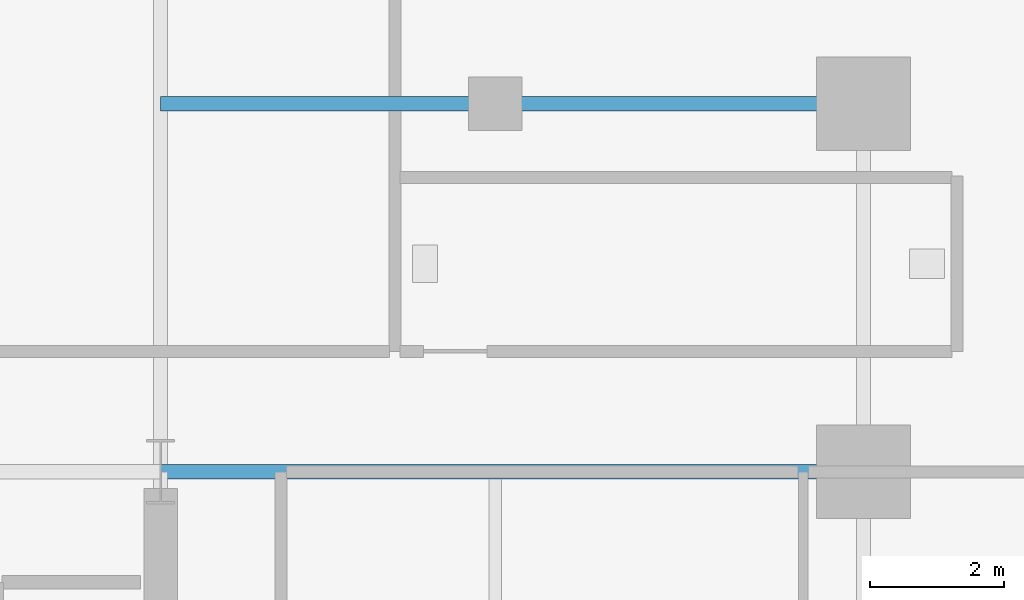
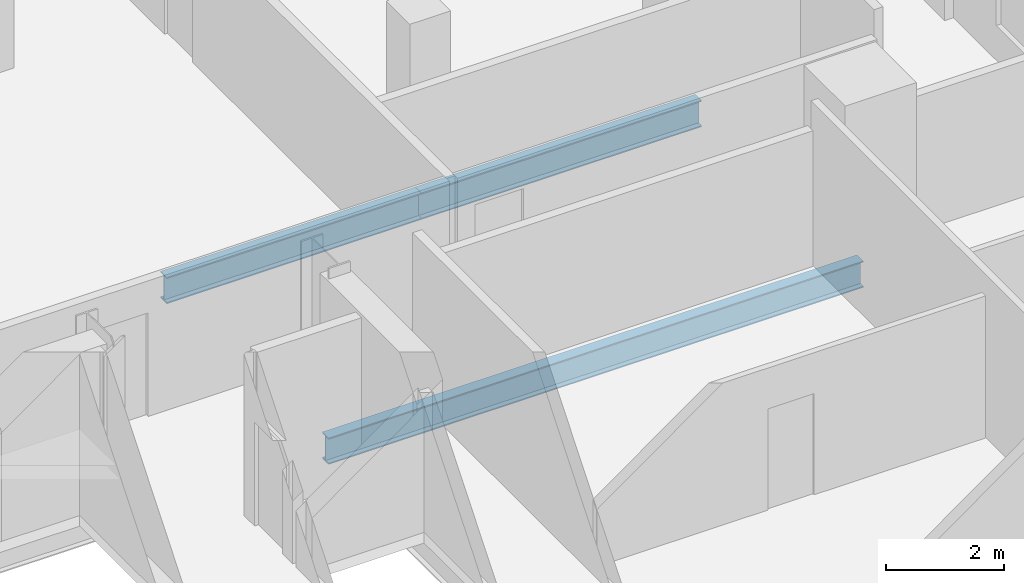
# One storey, part 14 of 23: 3 beams.
"""IFC4 building model written with IfcOpenShell, lengths in metres."""

import ifcopenshell
import ifcopenshell.guid

model = None  # the IFC model being written
_history = None  # IfcOwnerHistory: only IFC2X3 demands one
_inside = {}  # id of a spatial element -> (the spatial element, [elements in it])
_under = {}  # id of a project, library or spatial element -> (it, [spatial elements below it])
_declared = {}  # id of a project -> (the project, [libraries it declares])
_typed = {}  # id of a type object -> (the type object, [elements of that type])
_made_of = {}  # id of a material, layer set ... -> (it, [elements and type objects made of it])


def new_model(schema):
    """Start an empty IFC model of exactly this schema.

    Asked for "IFC4X3", IfcOpenShell would pick the latest addendum, in which some entities
    have other attributes; the version numbers below select the first issue.
    IFC2X3 requires an IfcOwnerHistory on every rooted entity: one is made here for all.
    """
    global model, _history
    if schema == "IFC4X3":
        model = ifcopenshell.file(schema_version=(4, 3, 0, 0))
    else:
        model = ifcopenshell.file(schema=schema)
    _inside.clear()
    _under.clear()
    _declared.clear()
    _typed.clear()
    _made_of.clear()
    _history = None
    if model.schema == "IFC2X3":
        org = make("IfcOrganization", Name="unknown")
        user = make(
            "IfcPersonAndOrganization",
            ThePerson=make("IfcPerson", FamilyName="unknown"),
            TheOrganization=org,
        )
        app = make(
            "IfcApplication",
            ApplicationDeveloper=org,
            Version="unknown",
            ApplicationFullName="unknown",
            ApplicationIdentifier="unknown",
        )
        _history = make(
            "IfcOwnerHistory",
            OwningUser=user,
            OwningApplication=app,
            ChangeAction="ADDED",
            CreationDate=0,
        )
    return model


def make(cls, **values):
    """One entity of the class cls with the attributes given. An attribute that is None is left unset."""
    return model.create_entity(
        cls, **{name: value for name, value in values.items() if value is not None}
    )


def rooted(cls, **values):
    """An entity with a GlobalId (a new one), such as an element, a storey or a relation."""
    return make(cls, GlobalId=ifcopenshell.guid.new(), OwnerHistory=_history, **values)


def si_unit(unit_type, name, prefix=None):
    """IfcSIUnit, for example si_unit("LENGTHUNIT", "METRE", prefix="MILLI")."""
    return make("IfcSIUnit", UnitType=unit_type, Prefix=prefix, Name=name)


def assignment(units):
    """IfcUnitAssignment: the units of a project."""
    return None if units is None else make("IfcUnitAssignment", Units=units)


def point(xyz):
    """IfcCartesianPoint."""
    return None if xyz is None else make("IfcCartesianPoint", Coordinates=xyz)


def direction(xyz):
    """IfcDirection."""
    return None if xyz is None else make("IfcDirection", DirectionRatios=xyz)


def frame(location, z_axis=None, x_axis=None):
    """IfcAxis2Placement3D, a coordinate frame: its origin and axes. An axis left out is left unset."""
    return make(
        "IfcAxis2Placement3D",
        Location=point(location),
        Axis=direction(z_axis),
        RefDirection=direction(x_axis),
    )


def frame_2d(location, x_axis=None):
    """IfcAxis2Placement2D, a coordinate frame in the plane: its origin and x axis."""
    return make(
        "IfcAxis2Placement2D", Location=point(location), RefDirection=direction(x_axis)
    )


def origin():
    """The frame at (0, 0, 0) with its axes left unset."""
    return frame((0.0, 0.0, 0.0))


def origin_2d():
    """The frame at (0, 0) in the plane with its x axis left unset."""
    return frame_2d((0.0, 0.0))


def place(relative_to, where):
    """IfcLocalPlacement: puts the frame where relative to a parent placement (None: the world)."""
    return make(
        "IfcLocalPlacement", PlacementRelTo=relative_to, RelativePlacement=where
    )


def context(
    kind, dimensions, precision=None, world=None, true_north=None, identifier=None
):
    """IfcGeometricRepresentationContext, for example the 3D "Model" context."""
    return make(
        "IfcGeometricRepresentationContext",
        ContextIdentifier=identifier,
        ContextType=kind,
        CoordinateSpaceDimension=dimensions,
        Precision=precision,
        WorldCoordinateSystem=world,
        TrueNorth=true_north,
    )


def subcontext(parent, identifier, kind, view, scale=None):
    """IfcGeometricRepresentationSubContext, for example "Body" below "Model"."""
    return make(
        "IfcGeometricRepresentationSubContext",
        ContextIdentifier=identifier,
        ContextType=kind,
        ParentContext=parent,
        TargetScale=scale,
        TargetView=view,
    )


def project(units=None, contexts=None):
    """IfcProject with its units and contexts."""
    return rooted(
        "IfcProject",
        Name="project",
        RepresentationContexts=contexts,
        UnitsInContext=assignment(units),
    )


def spatial(cls, under=None, at=None, **own):
    """A site, building, storey or space (cls), placed at a placement, below another one or the project."""
    s = rooted(cls, ObjectPlacement=at, **own)
    if under is not None:
        _under.setdefault(under.id(), (under, []))[1].append(s)
    return s


def profile(cls, at=None, kind="AREA", **sizes):
    """A parametric profile (cls). Its sizes go by their IFC names, for example OverallWidth=200.0."""
    return make(cls, ProfileType=kind, Position=at, **sizes)


def i_section(**sizes):
    """IfcIShapeProfileDef."""
    return profile("IfcIShapeProfileDef", **sizes)


def extrude(swept, where, along, depth):
    """IfcExtrudedAreaSolid: the profile swept, set in the frame where, extruded along a direction by depth."""
    return make(
        "IfcExtrudedAreaSolid",
        SweptArea=swept,
        Position=where,
        ExtrudedDirection=direction(along),
        Depth=depth,
    )


def shape(context_of_items, identifier, shape_type, items):
    """IfcShapeRepresentation: the items that make up one representation, for example the "Body"."""
    return make(
        "IfcShapeRepresentation",
        ContextOfItems=context_of_items,
        RepresentationIdentifier=identifier,
        RepresentationType=shape_type,
        Items=items,
    )


def material(Name=None, Category=None):
    """IfcMaterial."""
    return make("IfcMaterial", Name=Name, Category=Category)


def material_profile(
    of_material, cross_section, Name=None, Category=None, Priority=None
):
    """IfcMaterialProfile: a cross section and its material."""
    return make(
        "IfcMaterialProfile",
        Name=Name,
        Material=of_material,
        Profile=cross_section,
        Priority=Priority,
        Category=Category,
    )


def profile_set(profiles, Name=None, composite=None):
    """IfcMaterialProfileSet."""
    return make(
        "IfcMaterialProfileSet",
        Name=Name,
        MaterialProfiles=profiles,
        CompositeProfile=composite,
    )


def made_of(thing, what):
    """Note that an element or type object is made of a material, layer set ...; save() writes the relation."""
    if what is not None:
        _made_of.setdefault(what.id(), (what, []))[1].append(thing)
    return thing


def type_object(cls, material=None, **own):
    """A type object (cls), such as IfcWallType, which elements share."""
    return made_of(rooted(cls, **own), material)


def element(
    cls,
    number,
    at=None,
    inside=None,
    cuts=None,
    type_object=None,
    material=None,
    context=None,
    identifier="Body",
    shape_type=None,
    held_by="IfcProductDefinitionShape",
    body=None,
    shapes=None,
    **own,
):
    """One element of the class cls, such as IfcWall. Its Tag is "e" and its number.

    at: its placement. inside: the storey or other place that contains it. cuts: it is an
    opening in that element (IfcRelVoidsElement). A single representation is given by context,
    identifier, shape_type and body (its items); several are given by shapes. held_by: the class
    of the entity that holds the representations. save() writes the other relations.
    """
    e = rooted(cls, Tag="e%d" % number, ObjectPlacement=at, **own)
    if body is not None:
        shapes = [shape(context, identifier, shape_type, body)]
    if shapes is not None:
        e.Representation = make(held_by, Representations=shapes)
    if inside is not None:
        _inside.setdefault(inside.id(), (inside, []))[1].append(e)
    if cuts is not None:
        rooted(
            "IfcRelVoidsElement", RelatingBuildingElement=cuts, RelatedOpeningElement=e
        )
    if type_object is not None:
        _typed.setdefault(type_object.id(), (type_object, []))[1].append(e)
    return made_of(e, material)


def aggregate(whole, parts):
    """IfcRelAggregates: a whole, such as a stair, and the parts it consists of."""
    return rooted("IfcRelAggregates", RelatingObject=whole, RelatedObjects=parts)


def save(model, path):
    """Write the relations noted so far, then the file.

    IfcRelAggregates (storeys below a building ...), IfcRelContainedInSpatialStructure (elements
    in a storey), IfcRelDefinesByType, IfcRelAssociatesMaterial and IfcRelDeclares: one each for
    every whole, place, type object, material and project.
    """
    for whole, parts in _under.values():
        aggregate(whole, parts)
    for where, things in _inside.values():
        rooted(
            "IfcRelContainedInSpatialStructure",
            RelatedElements=things,
            RelatingStructure=where,
        )
    for kind, things in _typed.values():
        rooted("IfcRelDefinesByType", RelatedObjects=things, RelatingType=kind)
    for what, things in _made_of.values():
        rooted("IfcRelAssociatesMaterial", RelatedObjects=things, RelatingMaterial=what)
    for by, libraries in _declared.values():
        rooted("IfcRelDeclares", RelatingContext=by, RelatedDefinitions=libraries)
    model.write(path)


model = new_model("IFC4")

# Units and contexts
model_context = context("Model", 3, precision=1e-05, world=origin(), true_north=direction((0.0, 1.0)))
body_context = subcontext(model_context, "Body", "Model", "MODEL_VIEW")
ifc_project = project(units=[si_unit("LENGTHUNIT", "METRE"), si_unit("AREAUNIT", "SQUARE_METRE"), si_unit("VOLUMEUNIT", "CUBIC_METRE"), si_unit("PLANEANGLEUNIT", "RADIAN"), si_unit("MASSUNIT", "GRAM", prefix="KILO")], contexts=[model_context])

# Site, building, storey
site_placement = place(None, origin())
site = spatial("IfcSite", under=ifc_project, at=site_placement, CompositionType="ELEMENT")
building_placement = place(site_placement, origin())
building = spatial("IfcBuilding", under=site, at=building_placement, Name="Barlavira Tower and Art Museum", CompositionType="ELEMENT")
storey_placement = place(building_placement, frame((0.0, 0.0, 54.0)))
storey = spatial("IfcBuildingStorey", under=building, at=storey_placement, Name="L12", CompositionType="ELEMENT", Elevation=54.0)

# Beams
ifc_material = material(Name="Steel S355", Category="steel")
ifc_material_profile = material_profile(ifc_material, i_section(OverallWidth=0.214111328125, OverallDepth=0.549072265625, WebThickness=0.0146484375, FlangeThickness=0.023681640625, at=origin_2d()), Name="W530x138.0")
ifc_profile_set = profile_set([ifc_material_profile], Name="Steel S355")
beam_type = type_object("IfcBeamType", Name="Zone 1 Primary Floor Girder W530x138 Steel S355", PredefinedType="BEAM", material=ifc_profile_set)
beam_1_placement = place(storey_placement, frame((6.5, 7.5, -0.494384765625), z_axis=(1.0, 0.0, 0.0), x_axis=(0.0, 1.0, 0.0)))
element("IfcBeam", 1, at=beam_1_placement, inside=storey, type_object=beam_type, Name="L12 Girder R-E2", PredefinedType="BEAM", context=body_context, shape_type="SweptSolid", body=[
    extrude(i_section(OverallWidth=0.214111328125, OverallDepth=0.549072265625, WebThickness=0.0146484375, FlangeThickness=0.023681640625, at=origin_2d()), origin(), (0.0, 0.0, 1.0), 10.5),
])
beam_2_placement = place(storey_placement, frame((6.5, 13.0, -0.494384765625), z_axis=(1.0, 0.0, 0.0), x_axis=(0.0, 1.0, 0.0)))
element("IfcBeam", 2, at=beam_2_placement, inside=storey, type_object=beam_type, Name="L12 Girder I-N3", PredefinedType="BEAM", context=body_context, shape_type="SweptSolid", body=[
    extrude(i_section(OverallWidth=0.214111328125, OverallDepth=0.549072265625, WebThickness=0.0146484375, FlangeThickness=0.023681640625, at=origin_2d()), origin(), (0.0, 0.0, 1.0), 5.0),
])
beam_3_placement = place(storey_placement, frame((11.5, 13.0, -0.494384765625), z_axis=(1.0, 0.0, 0.0), x_axis=(0.0, 1.0, 0.0)))
element("IfcBeam", 3, at=beam_3_placement, inside=storey, type_object=beam_type, Name="L12 Girder I-N4", PredefinedType="BEAM", context=body_context, shape_type="SweptSolid", body=[
    extrude(i_section(OverallWidth=0.214111328125, OverallDepth=0.549072265625, WebThickness=0.0146484375, FlangeThickness=0.023681640625, at=origin_2d()), origin(), (0.0, 0.0, 1.0), 5.5),
])

save(model, "model.ifc")
